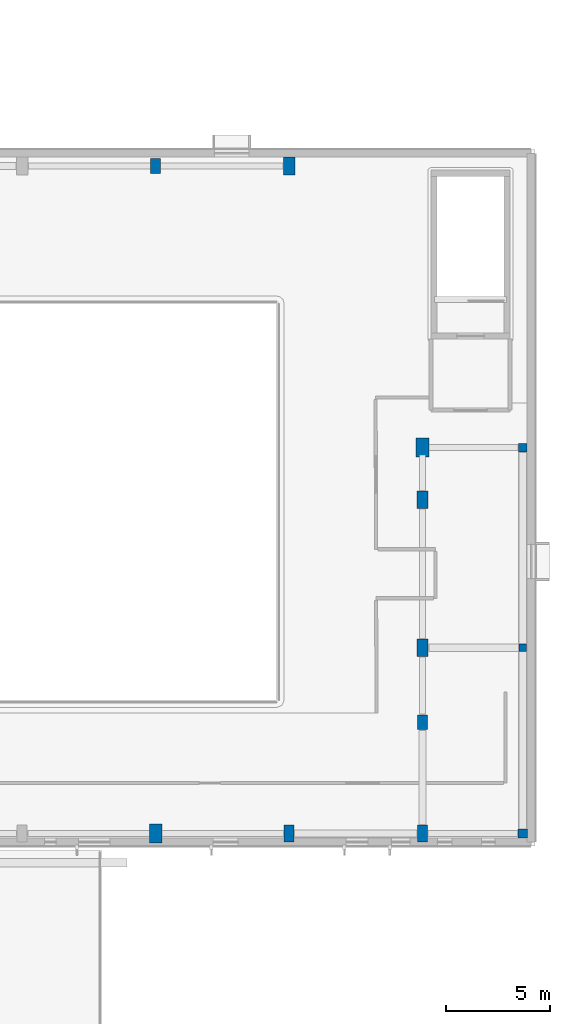
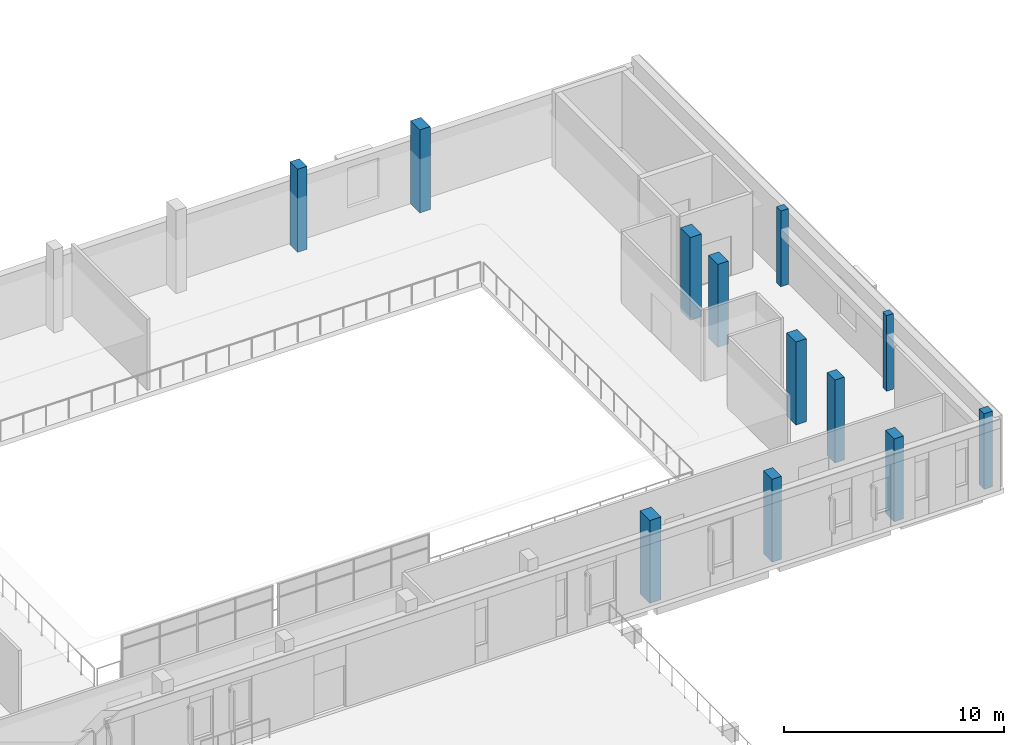
# One storey, part 8 of 73: 12 columns.
"""IFC4 building model written with IfcOpenShell, lengths in metres."""

from ifc_helpers import new_model, si_unit, direction, frame, origin, origin_2d, place, context, subcontext, project, spatial, rectangle, extrude, material, material_profile, profile_set, type_object, element, save


model = new_model("IFC4")

# Units and contexts
model_context = context("Model", 3, precision=1e-05, world=origin(), true_north=direction((0.0, 1.0)))
body_context = subcontext(model_context, "Body", "Model", "MODEL_VIEW")
ifc_project = project(units=[si_unit("LENGTHUNIT", "METRE"), si_unit("AREAUNIT", "SQUARE_METRE"), si_unit("VOLUMEUNIT", "CUBIC_METRE"), si_unit("PLANEANGLEUNIT", "RADIAN"), si_unit("MASSUNIT", "GRAM", prefix="KILO")], contexts=[model_context])

# Site, building, storey
site_placement = place(None, origin())
site = spatial("IfcSite", under=ifc_project, at=site_placement, CompositionType="ELEMENT")
building_placement = place(site_placement, origin())
building = spatial("IfcBuilding", under=site, at=building_placement, Name="Mzevani Central Library", CompositionType="ELEMENT")
storey_placement = place(building_placement, frame((0.0, 0.0, 9.60009765625)))
storey = spatial("IfcBuildingStorey", under=building, at=storey_placement, Name="L02", CompositionType="ELEMENT", Elevation=9.60009765625)

# Columns
ifc_material = material(Name="Concrete C40/50", Category="concrete")
ifc_material_profile_1 = material_profile(ifc_material, rectangle(XDim=0.35009765625, YDim=0.35009765625, at=origin_2d()), Name="RC 350x350")
ifc_profile_set_1 = profile_set([ifc_material_profile_1], Name="Concrete C40/50")
column_type_1 = type_object("IfcColumnType", Name="Column RC 350x350", PredefinedType="COLUMN", material=ifc_profile_set_1)
column_1_placement = place(storey_placement, frame((163.800048828125, 52.0, 0.0), z_axis=(0.0, 0.0, 1.0), x_axis=(1.0, 0.0, 0.0)))
element("IfcColumn", 1, at=column_1_placement, inside=storey, type_object=column_type_1, Name="L02 V1 Column C-01 (36)", PredefinedType="COLUMN", context=body_context, shape_type="SweptSolid", body=[
    extrude(rectangle(XDim=0.35009765625, YDim=0.35009765625, at=origin_2d()), origin(), (0.0, 0.0, 1.0), 4.199951171875),
])
ifc_material_profile_2 = material_profile(ifc_material, rectangle(XDim=0.39990234375, YDim=0.39990234375, at=origin_2d()), Name="RC 400x400")
ifc_profile_set_2 = profile_set([ifc_material_profile_2], Name="Concrete C40/50")
column_type_2 = type_object("IfcColumnType", Name="Column RC 400x400", PredefinedType="COLUMN", material=ifc_profile_set_2)
column_2_placement = place(storey_placement, frame((163.800048828125, 61.60009765625, 0.0), z_axis=(0.0, 0.0, 1.0), x_axis=(1.0, 0.0, 0.0)))
element("IfcColumn", 2, at=column_2_placement, inside=storey, type_object=column_type_2, Name="L02 V1 Column C-02 (37)", PredefinedType="COLUMN", context=body_context, shape_type="SweptSolid", body=[
    extrude(rectangle(XDim=0.39990234375, YDim=0.39990234375, at=origin_2d()), origin(), (0.0, 0.0, 1.0), 4.199951171875),
])
ifc_material_profile_3 = material_profile(ifc_material, rectangle(XDim=0.449951171875, YDim=0.449951171875, at=origin_2d()), Name="RC 450x450")
ifc_profile_set_3 = profile_set([ifc_material_profile_3], Name="Concrete C40/50")
column_type_3 = type_object("IfcColumnType", Name="Column RC 450x450", PredefinedType="COLUMN", material=ifc_profile_set_3)
column_3_placement = place(storey_placement, frame((163.800048828125, 43.10009765625, 0.0), z_axis=(0.0, 0.0, 1.0), x_axis=(1.0, 0.0, 0.0)))
element("IfcColumn", 3, at=column_3_placement, inside=storey, type_object=column_type_3, Name="L02 V1 Column C-03 (35)", PredefinedType="COLUMN", context=body_context, shape_type="SweptSolid", body=[
    extrude(rectangle(XDim=0.449951171875, YDim=0.449951171875, at=origin_2d()), origin(), (0.0, 0.0, 1.0), 4.199951171875),
])
ifc_material_profile_4 = material_profile(ifc_material, rectangle(XDim=0.5, YDim=0.699951171875, at=origin_2d()), Name="RC 500x700")
ifc_profile_set_4 = profile_set([ifc_material_profile_4], Name="Concrete C40/50")
column_type_4 = type_object("IfcColumnType", Name="Column RC 500x700", PredefinedType="COLUMN", material=ifc_profile_set_4)
for number, where, z_axis, x_axis, name in (
    (4, (146.199951171875, 75.10009765625, 0.0), (0.0, 0.0, 1.0), (1.0, 0.0, 0.0), "L02 V1 Column C-14 (47)"),
    (5, (159.0, 48.43310546875, 0.0), (0.0, 0.0, 1.0), (1.0, 0.0, 0.0), "L02 V1 Column C-14 (51)"),
):
    element("IfcColumn", number, at=place(storey_placement, frame(where, z_axis=z_axis, x_axis=x_axis)), inside=storey, type_object=column_type_4, Name=name, PredefinedType="COLUMN", context=body_context, shape_type="SweptSolid", body=[
        extrude(rectangle(XDim=0.5, YDim=0.699951171875, at=origin_2d()), origin(), (0.0, 0.0, 1.0), 4.599853515625),
    ])
ifc_material_profile_5 = material_profile(ifc_material, rectangle(XDim=0.5, YDim=0.800048828125, at=origin_2d()), Name="RC 500x800")
ifc_profile_set_5 = profile_set([ifc_material_profile_5], Name="Concrete C40/50")
column_type_5 = type_object("IfcColumnType", Name="Column RC 500x800", PredefinedType="COLUMN", material=ifc_profile_set_5)
for number, where, z_axis, x_axis, name in (
    (6, (159.0, 43.10009765625, 0.0), (0.0, 0.0, 1.0), (1.0, 0.0, 0.0), "L02 V1 Column C-15 (32)"),
    (7, (152.60009765625, 43.10009765625, 0.0), (0.0, 0.0, 1.0), (1.0, 0.0, 0.0), "L02 V1 Column C-15 (48)"),
):
    element("IfcColumn", number, at=place(storey_placement, frame(where, z_axis=z_axis, x_axis=x_axis)), inside=storey, type_object=column_type_5, Name=name, PredefinedType="COLUMN", context=body_context, shape_type="SweptSolid", body=[
        extrude(rectangle(XDim=0.5, YDim=0.800048828125, at=origin_2d()), origin(), (0.0, 0.0, 1.0), 4.599853515625),
    ])
ifc_material_profile_6 = material_profile(ifc_material, rectangle(XDim=0.550048828125, YDim=0.85009765625, at=origin_2d()), Name="RC 550x850")
ifc_profile_set_6 = profile_set([ifc_material_profile_6], Name="Concrete C40/50")
column_type_6 = type_object("IfcColumnType", Name="Column RC 550x850", PredefinedType="COLUMN", material=ifc_profile_set_6)
for number, where, z_axis, x_axis, name in (
    (8, (159.0, 52.0, 0.0), (0.0, 0.0, 1.0), (1.0, 0.0, 0.0), "L02 V1 Column C-16 (33)"),
    (9, (152.60009765625, 75.10009765625, 0.0), (0.0, 0.0, 1.0), (1.0, 0.0, 0.0), "L02 V1 Column C-16 (49)"),
    (10, (159.0, 59.10009765625, 0.0), (0.0, 0.0, 1.0), (1.0, 0.0, 0.0), "L02 V1 Column C-16 (53)"),
):
    element("IfcColumn", number, at=place(storey_placement, frame(where, z_axis=z_axis, x_axis=x_axis)), inside=storey, type_object=column_type_6, Name=name, PredefinedType="COLUMN", context=body_context, shape_type="SweptSolid", body=[
        extrude(rectangle(XDim=0.550048828125, YDim=0.85009765625, at=origin_2d()), origin(), (0.0, 0.0, 1.0), 4.599853515625),
    ])
ifc_material_profile_7 = material_profile(ifc_material, rectangle(XDim=0.60009765625, YDim=0.89990234375, at=origin_2d()), Name="RC 600x900")
ifc_profile_set_7 = profile_set([ifc_material_profile_7], Name="Concrete C40/50")
column_type_7 = type_object("IfcColumnType", Name="Column RC 600x900", PredefinedType="COLUMN", material=ifc_profile_set_7)
for number, where, z_axis, x_axis, name in (
    (11, (159.0, 61.60009765625, 0.0), (0.0, 0.0, 1.0), (1.0, 0.0, 0.0), "L02 V1 Column C-17 (34)"),
    (12, (146.199951171875, 43.10009765625, 0.0), (0.0, 0.0, 1.0), (1.0, 0.0, 0.0), "L02 V1 Column C-17 (46)"),
):
    element("IfcColumn", number, at=place(storey_placement, frame(where, z_axis=z_axis, x_axis=x_axis)), inside=storey, type_object=column_type_7, Name=name, PredefinedType="COLUMN", context=body_context, shape_type="SweptSolid", body=[
        extrude(rectangle(XDim=0.60009765625, YDim=0.89990234375, at=origin_2d()), origin(), (0.0, 0.0, 1.0), 4.599853515625),
    ])

save(model, "model.ifc")
